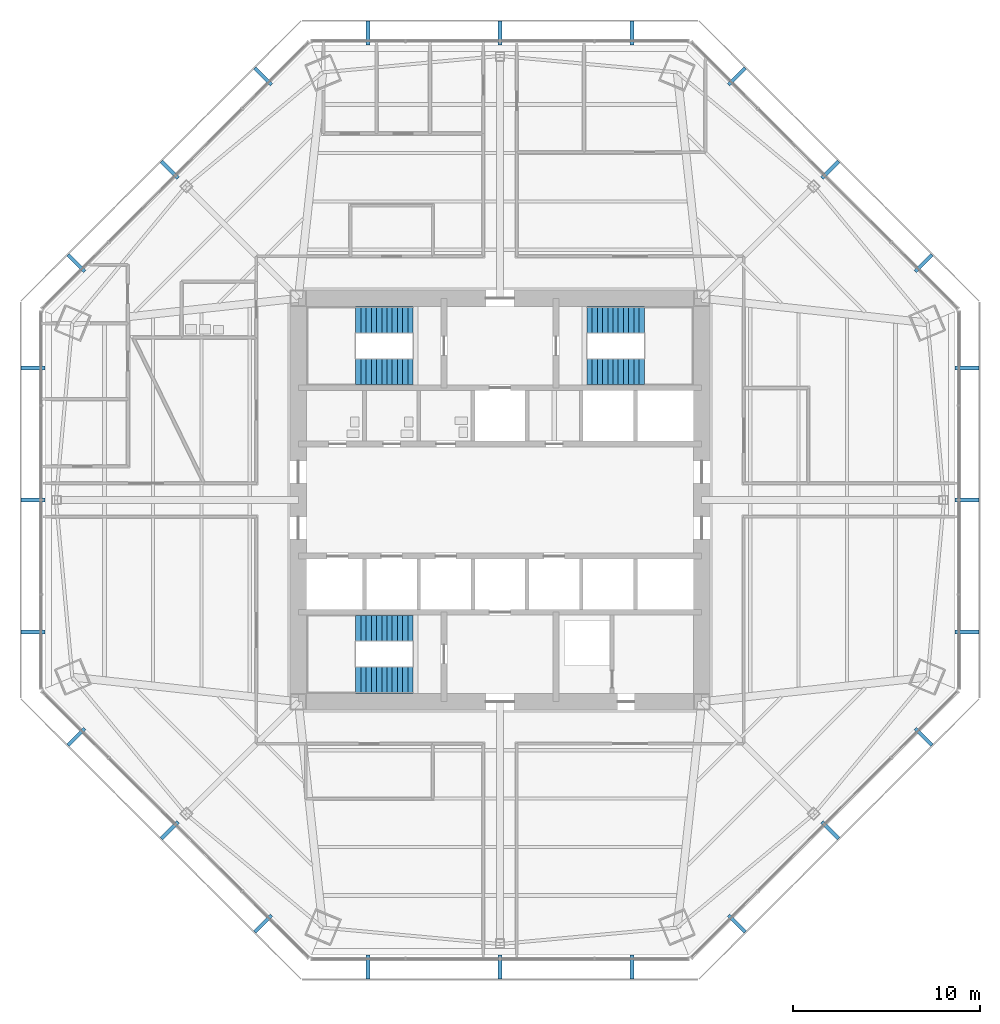
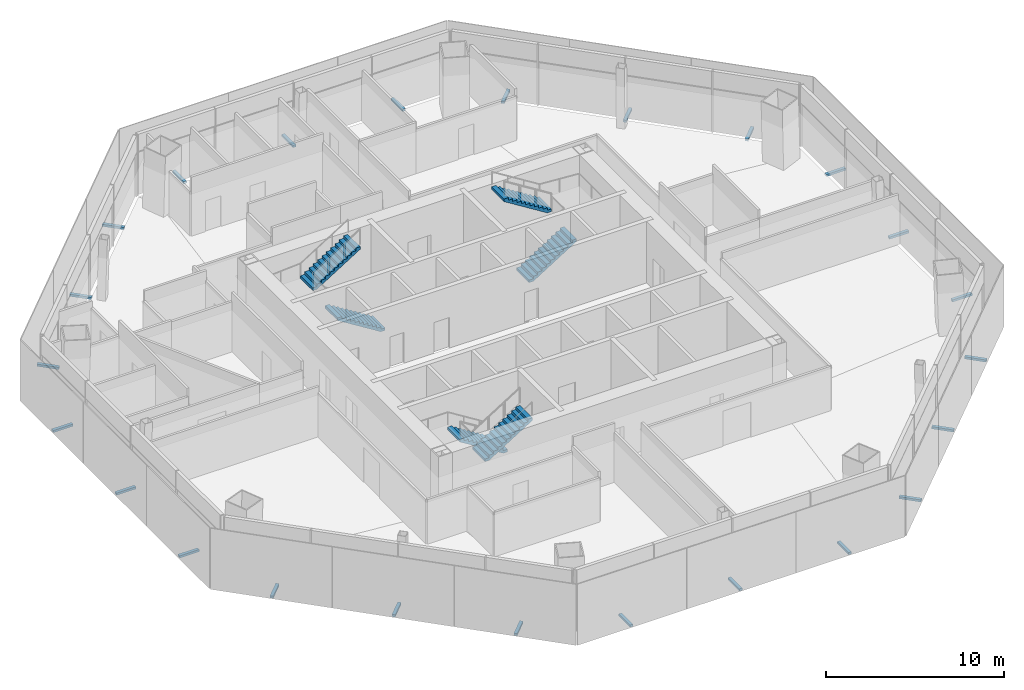
# One storey, part 11 of 14: 24 discrete accessories, 6 stair flights, 3 elements without a shape of their own.
"""IFC4 building model written with IfcOpenShell, lengths in metres."""

import ifcopenshell
import ifcopenshell.guid

model = None  # the IFC model being written
_history = None  # IfcOwnerHistory: only IFC2X3 demands one
_inside = {}  # id of a spatial element -> (the spatial element, [elements in it])
_under = {}  # id of a project, library or spatial element -> (it, [spatial elements below it])
_declared = {}  # id of a project -> (the project, [libraries it declares])
_typed = {}  # id of a type object -> (the type object, [elements of that type])
_made_of = {}  # id of a material, layer set ... -> (it, [elements and type objects made of it])


def new_model(schema):
    """Start an empty IFC model of exactly this schema.

    Asked for "IFC4X3", IfcOpenShell would pick the latest addendum, in which some entities
    have other attributes; the version numbers below select the first issue.
    IFC2X3 requires an IfcOwnerHistory on every rooted entity: one is made here for all.
    """
    global model, _history
    if schema == "IFC4X3":
        model = ifcopenshell.file(schema_version=(4, 3, 0, 0))
    else:
        model = ifcopenshell.file(schema=schema)
    _inside.clear()
    _under.clear()
    _declared.clear()
    _typed.clear()
    _made_of.clear()
    _history = None
    if model.schema == "IFC2X3":
        org = make("IfcOrganization", Name="unknown")
        user = make(
            "IfcPersonAndOrganization",
            ThePerson=make("IfcPerson", FamilyName="unknown"),
            TheOrganization=org,
        )
        app = make(
            "IfcApplication",
            ApplicationDeveloper=org,
            Version="unknown",
            ApplicationFullName="unknown",
            ApplicationIdentifier="unknown",
        )
        _history = make(
            "IfcOwnerHistory",
            OwningUser=user,
            OwningApplication=app,
            ChangeAction="ADDED",
            CreationDate=0,
        )
    return model


def make(cls, **values):
    """One entity of the class cls with the attributes given. An attribute that is None is left unset."""
    return model.create_entity(
        cls, **{name: value for name, value in values.items() if value is not None}
    )


def rooted(cls, **values):
    """An entity with a GlobalId (a new one), such as an element, a storey or a relation."""
    return make(cls, GlobalId=ifcopenshell.guid.new(), OwnerHistory=_history, **values)


def si_unit(unit_type, name, prefix=None):
    """IfcSIUnit, for example si_unit("LENGTHUNIT", "METRE", prefix="MILLI")."""
    return make("IfcSIUnit", UnitType=unit_type, Prefix=prefix, Name=name)


def assignment(units):
    """IfcUnitAssignment: the units of a project."""
    return None if units is None else make("IfcUnitAssignment", Units=units)


def point(xyz):
    """IfcCartesianPoint."""
    return None if xyz is None else make("IfcCartesianPoint", Coordinates=xyz)


def direction(xyz):
    """IfcDirection."""
    return None if xyz is None else make("IfcDirection", DirectionRatios=xyz)


def frame(location, z_axis=None, x_axis=None):
    """IfcAxis2Placement3D, a coordinate frame: its origin and axes. An axis left out is left unset."""
    return make(
        "IfcAxis2Placement3D",
        Location=point(location),
        Axis=direction(z_axis),
        RefDirection=direction(x_axis),
    )


def frame_2d(location, x_axis=None):
    """IfcAxis2Placement2D, a coordinate frame in the plane: its origin and x axis."""
    return make(
        "IfcAxis2Placement2D", Location=point(location), RefDirection=direction(x_axis)
    )


def origin():
    """The frame at (0, 0, 0) with its axes left unset."""
    return frame((0.0, 0.0, 0.0))


def origin_2d():
    """The frame at (0, 0) in the plane with its x axis left unset."""
    return frame_2d((0.0, 0.0))


def place(relative_to, where):
    """IfcLocalPlacement: puts the frame where relative to a parent placement (None: the world)."""
    return make(
        "IfcLocalPlacement", PlacementRelTo=relative_to, RelativePlacement=where
    )


def context(
    kind, dimensions, precision=None, world=None, true_north=None, identifier=None
):
    """IfcGeometricRepresentationContext, for example the 3D "Model" context."""
    return make(
        "IfcGeometricRepresentationContext",
        ContextIdentifier=identifier,
        ContextType=kind,
        CoordinateSpaceDimension=dimensions,
        Precision=precision,
        WorldCoordinateSystem=world,
        TrueNorth=true_north,
    )


def subcontext(parent, identifier, kind, view, scale=None):
    """IfcGeometricRepresentationSubContext, for example "Body" below "Model"."""
    return make(
        "IfcGeometricRepresentationSubContext",
        ContextIdentifier=identifier,
        ContextType=kind,
        ParentContext=parent,
        TargetScale=scale,
        TargetView=view,
    )


def project(units=None, contexts=None):
    """IfcProject with its units and contexts."""
    return rooted(
        "IfcProject",
        Name="project",
        RepresentationContexts=contexts,
        UnitsInContext=assignment(units),
    )


def spatial(cls, under=None, at=None, **own):
    """A site, building, storey or space (cls), placed at a placement, below another one or the project."""
    s = rooted(cls, ObjectPlacement=at, **own)
    if under is not None:
        _under.setdefault(under.id(), (under, []))[1].append(s)
    return s


def polyline(points):
    """IfcPolyline through the points."""
    return make("IfcPolyline", Points=[point(p) for p in points])


def profile(cls, at=None, kind="AREA", **sizes):
    """A parametric profile (cls). Its sizes go by their IFC names, for example OverallWidth=200.0."""
    return make(cls, ProfileType=kind, Position=at, **sizes)


def rectangle(**sizes):
    """IfcRectangleProfileDef."""
    return profile("IfcRectangleProfileDef", **sizes)


def outline(outer, holes=None, kind="AREA"):
    """IfcArbitraryClosedProfileDef: a profile drawn as a closed curve; with holes, ...WithVoids."""
    if holes is None:
        return make("IfcArbitraryClosedProfileDef", ProfileType=kind, OuterCurve=outer)
    return make(
        "IfcArbitraryProfileDefWithVoids",
        ProfileType=kind,
        OuterCurve=outer,
        InnerCurves=holes,
    )


def extrude(swept, where, along, depth):
    """IfcExtrudedAreaSolid: the profile swept, set in the frame where, extruded along a direction by depth."""
    return make(
        "IfcExtrudedAreaSolid",
        SweptArea=swept,
        Position=where,
        ExtrudedDirection=direction(along),
        Depth=depth,
    )


def shape(context_of_items, identifier, shape_type, items):
    """IfcShapeRepresentation: the items that make up one representation, for example the "Body"."""
    return make(
        "IfcShapeRepresentation",
        ContextOfItems=context_of_items,
        RepresentationIdentifier=identifier,
        RepresentationType=shape_type,
        Items=items,
    )


def source(mapping_origin, context_of_items, identifier, shape_type, items):
    """IfcRepresentationMap: a shape defined once, which mapped items show again and again."""
    return make(
        "IfcRepresentationMap",
        MappingOrigin=mapping_origin,
        MappedRepresentation=shape(context_of_items, identifier, shape_type, items),
    )


def transform(
    local_origin,
    x_axis=None,
    y_axis=None,
    z_axis=None,
    scale=None,
    scale2=None,
    scale3=None,
    uniform=True,
):
    """IfcCartesianTransformationOperator3D, or its non-uniform kind. x_axis, y_axis, z_axis: its Axis1, 2, 3."""
    if uniform:
        return make(
            "IfcCartesianTransformationOperator3D",
            Axis1=direction(x_axis),
            Axis2=direction(y_axis),
            LocalOrigin=point(local_origin),
            Scale=scale,
            Axis3=direction(z_axis),
        )
    return make(
        "IfcCartesianTransformationOperator3DnonUniform",
        Axis1=direction(x_axis),
        Axis2=direction(y_axis),
        LocalOrigin=point(local_origin),
        Scale=scale,
        Axis3=direction(z_axis),
        Scale2=scale2,
        Scale3=scale3,
    )


def mapped(mapping_source, mapping_target):
    """IfcMappedItem: shows the shape of a source again, moved by a transform."""
    return make(
        "IfcMappedItem", MappingSource=mapping_source, MappingTarget=mapping_target
    )


def material(Name=None, Category=None):
    """IfcMaterial."""
    return make("IfcMaterial", Name=Name, Category=Category)


def made_of(thing, what):
    """Note that an element or type object is made of a material, layer set ...; save() writes the relation."""
    if what is not None:
        _made_of.setdefault(what.id(), (what, []))[1].append(thing)
    return thing


def type_object(cls, material=None, **own):
    """A type object (cls), such as IfcWallType, which elements share."""
    return made_of(rooted(cls, **own), material)


def type_shapes(of_type, sources):
    """Give a type object the sources (RepresentationMaps) that its elements show as mapped items."""
    of_type.RepresentationMaps = sources


def element(
    cls,
    number,
    at=None,
    inside=None,
    cuts=None,
    type_object=None,
    material=None,
    context=None,
    identifier="Body",
    shape_type=None,
    held_by="IfcProductDefinitionShape",
    body=None,
    shapes=None,
    **own,
):
    """One element of the class cls, such as IfcWall. Its Tag is "e" and its number.

    at: its placement. inside: the storey or other place that contains it. cuts: it is an
    opening in that element (IfcRelVoidsElement). A single representation is given by context,
    identifier, shape_type and body (its items); several are given by shapes. held_by: the class
    of the entity that holds the representations. save() writes the other relations.
    """
    e = rooted(cls, Tag="e%d" % number, ObjectPlacement=at, **own)
    if body is not None:
        shapes = [shape(context, identifier, shape_type, body)]
    if shapes is not None:
        e.Representation = make(held_by, Representations=shapes)
    if inside is not None:
        _inside.setdefault(inside.id(), (inside, []))[1].append(e)
    if cuts is not None:
        rooted(
            "IfcRelVoidsElement", RelatingBuildingElement=cuts, RelatedOpeningElement=e
        )
    if type_object is not None:
        _typed.setdefault(type_object.id(), (type_object, []))[1].append(e)
    return made_of(e, material)


def aggregate(whole, parts):
    """IfcRelAggregates: a whole, such as a stair, and the parts it consists of."""
    return rooted("IfcRelAggregates", RelatingObject=whole, RelatedObjects=parts)


def save(model, path):
    """Write the relations noted so far, then the file.

    IfcRelAggregates (storeys below a building ...), IfcRelContainedInSpatialStructure (elements
    in a storey), IfcRelDefinesByType, IfcRelAssociatesMaterial and IfcRelDeclares: one each for
    every whole, place, type object, material and project.
    """
    for whole, parts in _under.values():
        aggregate(whole, parts)
    for where, things in _inside.values():
        rooted(
            "IfcRelContainedInSpatialStructure",
            RelatedElements=things,
            RelatingStructure=where,
        )
    for kind, things in _typed.values():
        rooted("IfcRelDefinesByType", RelatedObjects=things, RelatingType=kind)
    for what, things in _made_of.values():
        rooted("IfcRelAssociatesMaterial", RelatedObjects=things, RelatingMaterial=what)
    for by, libraries in _declared.values():
        rooted("IfcRelDeclares", RelatingContext=by, RelatedDefinitions=libraries)
    model.write(path)


model = new_model("IFC4")

# Units and contexts
model_context = context("Model", 3, precision=1e-05, world=origin(), true_north=direction((0.0, 1.0)))
body_context = subcontext(model_context, "Body", "Model", "MODEL_VIEW")
ifc_project = project(units=[si_unit("LENGTHUNIT", "METRE"), si_unit("AREAUNIT", "SQUARE_METRE"), si_unit("VOLUMEUNIT", "CUBIC_METRE"), si_unit("PLANEANGLEUNIT", "RADIAN"), si_unit("MASSUNIT", "GRAM", prefix="KILO")], contexts=[model_context])

# Site, building, storey
site_placement = place(None, origin())
site = spatial("IfcSite", under=ifc_project, at=site_placement, CompositionType="ELEMENT")
building_placement = place(site_placement, origin())
building = spatial("IfcBuilding", under=site, at=building_placement, Name="Mashrafa Tower", CompositionType="ELEMENT")
storey_placement = place(building_placement, frame((0.0, 0.0, 121.800048828125)))
storey = spatial("IfcBuildingStorey", under=building, at=storey_placement, Name="L27", CompositionType="ELEMENT", Elevation=121.800048828125)

# Stair, stair flights
ifc_material_1 = material(Name="Exit stair 1400")
stair_type = type_object("IfcStairType", Name="Exit stair 1400", PredefinedType="HALF_TURN_STAIR", material=ifc_material_1)
stair_1_placement = place(storey_placement, origin())
stair_1 = element("IfcStair", 1, at=stair_1_placement, inside=storey, type_object=stair_type, Name="Stair S1 L27", PredefinedType="HALF_TURN_STAIR")
ifc_material_2 = material(Name="Concrete C32/40", Category="concrete")
stair_flight_type = type_object("IfcStairFlightType", Name="Stair flight 1400", PredefinedType="STRAIGHT", material=ifc_material_2)
stair_flight_1_placement = place(storey_placement, frame((-4.64990234375, 6.85009765625, 0.0), z_axis=(0.0, 0.0, 1.0), x_axis=(-1.0, 0.0, 0.0)))
stair_flight_1 = element("IfcStairFlight", 2, at=stair_flight_1_placement, type_object=stair_flight_type, Name="S1 flight 1", NumberOfRisers=12, NumberOfTreads=11, PredefinedType="STRAIGHT", RiserHeight=0.175, TreadLength=0.28, context=body_context, shape_type="SweptSolid", body=[
    extrude(outline(polyline([(0.0, 0.0), (0.0, 0.175048828125), (0.280029296875, 0.175048828125), (0.280029296875, 0.35009765625), (0.56005859375, 0.35009765625), (0.56005859375, 0.52490234375), (0.840087890625, 0.52490234375), (0.840087890625, 0.699951171875), (1.1201171875, 0.699951171875), (1.1201171875, 0.875), (1.39990234375, 0.875), (1.39990234375, 1.050048828125), (1.679931640625, 1.050048828125), (1.679931640625, 1.22509765625), (1.9599609375, 1.22509765625), (1.9599609375, 1.39990234375), (2.239990234375, 1.39990234375), (2.239990234375, 1.574951171875), (2.52001953125, 1.574951171875), (2.52001953125, 1.75), (2.800048828125, 1.75), (2.800048828125, 1.925048828125), (3.080078125, 1.925048828125), (3.080078125, 2.10009765625), (3.080078125, 1.748291015625), (0.28271484375, 0.0), (0.0, 0.0)])), frame((0.0, 0.699951171875, 0.0), z_axis=(0.0, -1.0, 0.0), x_axis=(1.0, 0.0, 0.0)), (0.0, 0.0, 1.0), 1.39990234375),
])
stair_flight_2_placement = place(storey_placement, frame((-7.72998046875, 9.64990234375, 2.099853515625), z_axis=(0.0, 0.0, 1.0), x_axis=(1.0, 0.0, 0.0)))
stair_flight_2 = element("IfcStairFlight", 3, at=stair_flight_2_placement, type_object=stair_flight_type, Name="S1 flight 2", NumberOfRisers=12, NumberOfTreads=11, PredefinedType="STRAIGHT", RiserHeight=0.175, TreadLength=0.28, context=body_context, shape_type="SweptSolid", body=[
    extrude(outline(polyline([(0.0, 0.0), (0.0, 0.175048828125), (0.280029296875, 0.175048828125), (0.280029296875, 0.35009765625), (0.56005859375, 0.35009765625), (0.56005859375, 0.52490234375), (0.840087890625, 0.52490234375), (0.840087890625, 0.699951171875), (1.1201171875, 0.699951171875), (1.1201171875, 0.875), (1.39990234375, 0.875), (1.39990234375, 1.050048828125), (1.679931640625, 1.050048828125), (1.679931640625, 1.22509765625), (1.9599609375, 1.22509765625), (1.9599609375, 1.39990234375), (2.239990234375, 1.39990234375), (2.239990234375, 1.574951171875), (2.52001953125, 1.574951171875), (2.52001953125, 1.75), (2.800048828125, 1.75), (2.800048828125, 1.925048828125), (3.080078125, 1.925048828125), (3.080078125, 2.10009765625), (3.080078125, 1.748291015625), (0.28271484375, 0.0), (0.0, 0.0)])), frame((0.0, 0.699951171875, 0.0), z_axis=(0.0, -1.0, 0.0), x_axis=(1.0, 0.0, 0.0)), (0.0, 0.0, 1.0), 1.39990234375),
])
aggregate(stair_1, [stair_flight_1, stair_flight_2])

stair_2_placement = place(storey_placement, origin())
stair_2 = element("IfcStair", 4, at=stair_2_placement, inside=storey, type_object=stair_type, Name="Stair S2 L27", PredefinedType="HALF_TURN_STAIR")
stair_flight_3_placement = place(storey_placement, frame((4.64990234375, 6.85009765625, 0.0), z_axis=(0.0, 0.0, 1.0), x_axis=(1.0, 0.0, 0.0)))
stair_flight_3 = element("IfcStairFlight", 5, at=stair_flight_3_placement, type_object=stair_flight_type, Name="S2 flight 1", NumberOfRisers=12, NumberOfTreads=11, PredefinedType="STRAIGHT", RiserHeight=0.175, TreadLength=0.28, context=body_context, shape_type="SweptSolid", body=[
    extrude(outline(polyline([(0.0, 0.0), (0.0, 0.175048828125), (0.280029296875, 0.175048828125), (0.280029296875, 0.35009765625), (0.56005859375, 0.35009765625), (0.56005859375, 0.52490234375), (0.840087890625, 0.52490234375), (0.840087890625, 0.699951171875), (1.1201171875, 0.699951171875), (1.1201171875, 0.875), (1.39990234375, 0.875), (1.39990234375, 1.050048828125), (1.679931640625, 1.050048828125), (1.679931640625, 1.22509765625), (1.9599609375, 1.22509765625), (1.9599609375, 1.39990234375), (2.239990234375, 1.39990234375), (2.239990234375, 1.574951171875), (2.52001953125, 1.574951171875), (2.52001953125, 1.75), (2.800048828125, 1.75), (2.800048828125, 1.925048828125), (3.080078125, 1.925048828125), (3.080078125, 2.10009765625), (3.080078125, 1.748291015625), (0.28271484375, 0.0), (0.0, 0.0)])), frame((0.0, 0.699951171875, 0.0), z_axis=(0.0, -1.0, 0.0), x_axis=(1.0, 0.0, 0.0)), (0.0, 0.0, 1.0), 1.39990234375),
])
stair_flight_4_placement = place(storey_placement, frame((7.72998046875, 9.64990234375, 2.099853515625), z_axis=(0.0, 0.0, 1.0), x_axis=(-1.0, 0.0, 0.0)))
stair_flight_4 = element("IfcStairFlight", 6, at=stair_flight_4_placement, type_object=stair_flight_type, Name="S2 flight 2", NumberOfRisers=12, NumberOfTreads=11, PredefinedType="STRAIGHT", RiserHeight=0.175, TreadLength=0.28, context=body_context, shape_type="SweptSolid", body=[
    extrude(outline(polyline([(0.0, 0.0), (0.0, 0.175048828125), (0.280029296875, 0.175048828125), (0.280029296875, 0.35009765625), (0.56005859375, 0.35009765625), (0.56005859375, 0.52490234375), (0.840087890625, 0.52490234375), (0.840087890625, 0.699951171875), (1.1201171875, 0.699951171875), (1.1201171875, 0.875), (1.39990234375, 0.875), (1.39990234375, 1.050048828125), (1.679931640625, 1.050048828125), (1.679931640625, 1.22509765625), (1.9599609375, 1.22509765625), (1.9599609375, 1.39990234375), (2.239990234375, 1.39990234375), (2.239990234375, 1.574951171875), (2.52001953125, 1.574951171875), (2.52001953125, 1.75), (2.800048828125, 1.75), (2.800048828125, 1.925048828125), (3.080078125, 1.925048828125), (3.080078125, 2.10009765625), (3.080078125, 1.748291015625), (0.28271484375, 0.0), (0.0, 0.0)])), frame((0.0, 0.699951171875, 0.0), z_axis=(0.0, -1.0, 0.0), x_axis=(1.0, 0.0, 0.0)), (0.0, 0.0, 1.0), 1.39990234375),
])
aggregate(stair_2, [stair_flight_3, stair_flight_4])

stair_3_placement = place(storey_placement, origin())
stair_3 = element("IfcStair", 7, at=stair_3_placement, inside=storey, type_object=stair_type, Name="Stair S3 L27", PredefinedType="HALF_TURN_STAIR")
stair_flight_5_placement = place(storey_placement, frame((-4.64990234375, -6.85009765625, 0.0), z_axis=(0.0, 0.0, 1.0), x_axis=(-1.0, 0.0, 0.0)))
stair_flight_5 = element("IfcStairFlight", 8, at=stair_flight_5_placement, type_object=stair_flight_type, Name="S3 flight 1", NumberOfRisers=12, NumberOfTreads=11, PredefinedType="STRAIGHT", RiserHeight=0.175, TreadLength=0.28, context=body_context, shape_type="SweptSolid", body=[
    extrude(outline(polyline([(0.0, 0.0), (0.0, 0.175048828125), (0.280029296875, 0.175048828125), (0.280029296875, 0.35009765625), (0.56005859375, 0.35009765625), (0.56005859375, 0.52490234375), (0.840087890625, 0.52490234375), (0.840087890625, 0.699951171875), (1.1201171875, 0.699951171875), (1.1201171875, 0.875), (1.39990234375, 0.875), (1.39990234375, 1.050048828125), (1.679931640625, 1.050048828125), (1.679931640625, 1.22509765625), (1.9599609375, 1.22509765625), (1.9599609375, 1.39990234375), (2.239990234375, 1.39990234375), (2.239990234375, 1.574951171875), (2.52001953125, 1.574951171875), (2.52001953125, 1.75), (2.800048828125, 1.75), (2.800048828125, 1.925048828125), (3.080078125, 1.925048828125), (3.080078125, 2.10009765625), (3.080078125, 1.748291015625), (0.28271484375, 0.0), (0.0, 0.0)])), frame((0.0, 0.699951171875, 0.0), z_axis=(0.0, -1.0, 0.0), x_axis=(1.0, 0.0, 0.0)), (0.0, 0.0, 1.0), 1.39990234375),
])
stair_flight_6_placement = place(storey_placement, frame((-7.72998046875, -9.64990234375, 2.099853515625), z_axis=(0.0, 0.0, 1.0), x_axis=(1.0, 0.0, 0.0)))
stair_flight_6 = element("IfcStairFlight", 9, at=stair_flight_6_placement, type_object=stair_flight_type, Name="S3 flight 2", NumberOfRisers=12, NumberOfTreads=11, PredefinedType="STRAIGHT", RiserHeight=0.175, TreadLength=0.28, context=body_context, shape_type="SweptSolid", body=[
    extrude(outline(polyline([(0.0, 0.0), (0.0, 0.175048828125), (0.280029296875, 0.175048828125), (0.280029296875, 0.35009765625), (0.56005859375, 0.35009765625), (0.56005859375, 0.52490234375), (0.840087890625, 0.52490234375), (0.840087890625, 0.699951171875), (1.1201171875, 0.699951171875), (1.1201171875, 0.875), (1.39990234375, 0.875), (1.39990234375, 1.050048828125), (1.679931640625, 1.050048828125), (1.679931640625, 1.22509765625), (1.9599609375, 1.22509765625), (1.9599609375, 1.39990234375), (2.239990234375, 1.39990234375), (2.239990234375, 1.574951171875), (2.52001953125, 1.574951171875), (2.52001953125, 1.75), (2.800048828125, 1.75), (2.800048828125, 1.925048828125), (3.080078125, 1.925048828125), (3.080078125, 2.10009765625), (3.080078125, 1.748291015625), (0.28271484375, 0.0), (0.0, 0.0)])), frame((0.0, 0.699951171875, 0.0), z_axis=(0.0, -1.0, 0.0), x_axis=(1.0, 0.0, 0.0)), (0.0, 0.0, 1.0), 1.39990234375),
])
aggregate(stair_3, [stair_flight_5, stair_flight_6])

# Discrete accessories
ifc_material_3 = material(Name="Stainless steel screen bracket", Category="steel")
discrete_accessory_type = type_object("IfcDiscreteAccessoryType", Name="Screen support bracket 200 x 150", PredefinedType="BRACKET", material=ifc_material_3)
shared_shape = source(origin(), body_context, "Body", "SweptSolid", [
    extrude(rectangle(XDim=0.199951171875, YDim=1.27001953125, at=origin_2d()), origin(), (0.0, 0.0, 1.0), 0.14990234375),
])
type_shapes(discrete_accessory_type, [shared_shape])
for number, where, z_axis, x_axis, name in (
    (10, (25.004150390625, -7.073486328125, -0.14990234375), (0.0, 0.0, 1.0), (0.0, 1.0, 0.0), "Screen support bracket L27 east 1"),
    (11, (25.004150390625, 0.0, -0.14990234375), (0.0, 0.0, 1.0), (0.0, 1.0, 0.0), "Screen support bracket L27 east 2"),
    (12, (25.004150390625, 7.073486328125, -0.14990234375), (0.0, 0.0, 1.0), (0.0, 1.0, 0.0), "Screen support bracket L27 east 3"),
    (13, (22.682373046875, 12.678955078125, -0.14990234375), (0.0, 0.0, 1.0), (-0.707106781187, 0.707106781187, 0.0), "Screen support bracket L27 north-east 1"),
    (14, (17.6806640625, 17.6806640625, -0.14990234375), (0.0, 0.0, 1.0), (-0.707106781187, 0.707106781187, 0.0), "Screen support bracket L27 north-east 2"),
    (15, (12.678955078125, 22.682373046875, -0.14990234375), (0.0, 0.0, 1.0), (-0.707106781187, 0.707106781187, 0.0), "Screen support bracket L27 north-east 3"),
    (16, (7.073486328125, 25.004150390625, -0.14990234375), (0.0, 0.0, 1.0), (-1.0, 0.0, 0.0), "Screen support bracket L27 north 1"),
    (17, (0.0, 25.004150390625, -0.14990234375), (0.0, 0.0, 1.0), (-1.0, 0.0, 0.0), "Screen support bracket L27 north 2"),
    (18, (-7.073486328125, 25.004150390625, -0.14990234375), (0.0, 0.0, 1.0), (-1.0, 0.0, 0.0), "Screen support bracket L27 north 3"),
    (19, (-12.678955078125, 22.682373046875, -0.14990234375), (0.0, 0.0, 1.0), (-0.707106781187, -0.707106781187, 0.0), "Screen support bracket L27 north-west 1"),
    (20, (-17.6806640625, 17.6806640625, -0.14990234375), (0.0, 0.0, 1.0), (-0.707106781187, -0.707106781187, 0.0), "Screen support bracket L27 north-west 2"),
    (21, (-22.682373046875, 12.678955078125, -0.14990234375), (0.0, 0.0, 1.0), (-0.707106781187, -0.707106781187, 0.0), "Screen support bracket L27 north-west 3"),
    (22, (-25.004150390625, 7.073486328125, -0.14990234375), (0.0, 0.0, 1.0), (0.0, -1.0, 0.0), "Screen support bracket L27 west 1"),
    (23, (-25.004150390625, 0.0, -0.14990234375), (0.0, 0.0, 1.0), (0.0, -1.0, 0.0), "Screen support bracket L27 west 2"),
    (24, (-25.004150390625, -7.073486328125, -0.14990234375), (0.0, 0.0, 1.0), (0.0, -1.0, 0.0), "Screen support bracket L27 west 3"),
    (25, (-22.682373046875, -12.678955078125, -0.14990234375), (0.0, 0.0, 1.0), (0.707106781187, -0.707106781187, 0.0), "Screen support bracket L27 south-west 1"),
    (26, (-17.6806640625, -17.6806640625, -0.14990234375), (0.0, 0.0, 1.0), (0.707106781187, -0.707106781187, 0.0), "Screen support bracket L27 south-west 2"),
    (27, (-12.678955078125, -22.682373046875, -0.14990234375), (0.0, 0.0, 1.0), (0.707106781187, -0.707106781187, 0.0), "Screen support bracket L27 south-west 3"),
    (28, (-7.073486328125, -25.004150390625, -0.14990234375), (0.0, 0.0, 1.0), (1.0, 0.0, 0.0), "Screen support bracket L27 south 1"),
    (29, (0.0, -25.004150390625, -0.14990234375), (0.0, 0.0, 1.0), (1.0, 0.0, 0.0), "Screen support bracket L27 south 2"),
    (30, (7.073486328125, -25.004150390625, -0.14990234375), (0.0, 0.0, 1.0), (1.0, 0.0, 0.0), "Screen support bracket L27 south 3"),
    (31, (12.678955078125, -22.682373046875, -0.14990234375), (0.0, 0.0, 1.0), (0.707106781187, 0.707106781187, 0.0), "Screen support bracket L27 south-east 1"),
    (32, (17.6806640625, -17.6806640625, -0.14990234375), (0.0, 0.0, 1.0), (0.707106781187, 0.707106781187, 0.0), "Screen support bracket L27 south-east 2"),
    (33, (22.682373046875, -12.678955078125, -0.14990234375), (0.0, 0.0, 1.0), (0.707106781187, 0.707106781187, 0.0), "Screen support bracket L27 south-east 3"),
):
    element("IfcDiscreteAccessory", number, at=place(storey_placement, frame(where, z_axis=z_axis, x_axis=x_axis)), inside=storey, type_object=discrete_accessory_type, Name=name, PredefinedType="BRACKET", context=body_context, shape_type="MappedRepresentation", body=[
        mapped(shared_shape, transform((0.0, 0.0, 0.0))),
    ])

save(model, "model.ifc")
